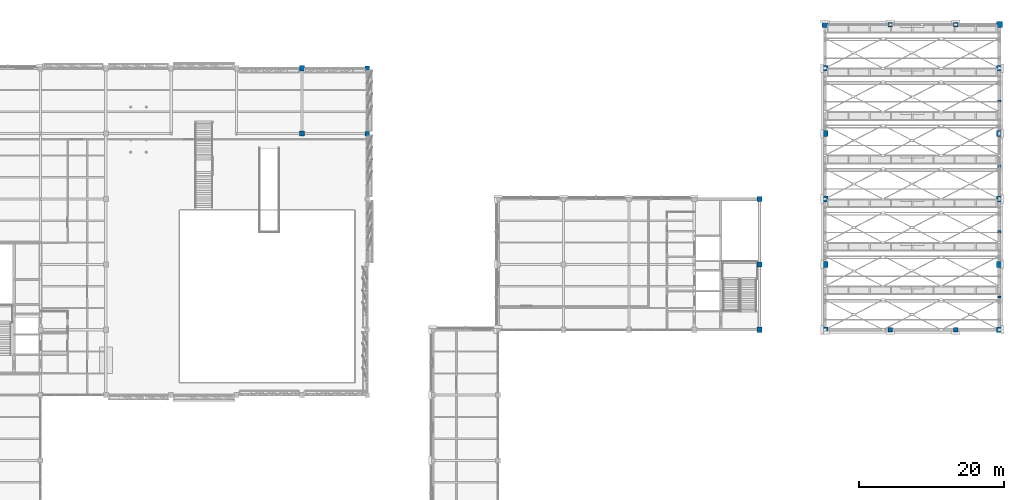
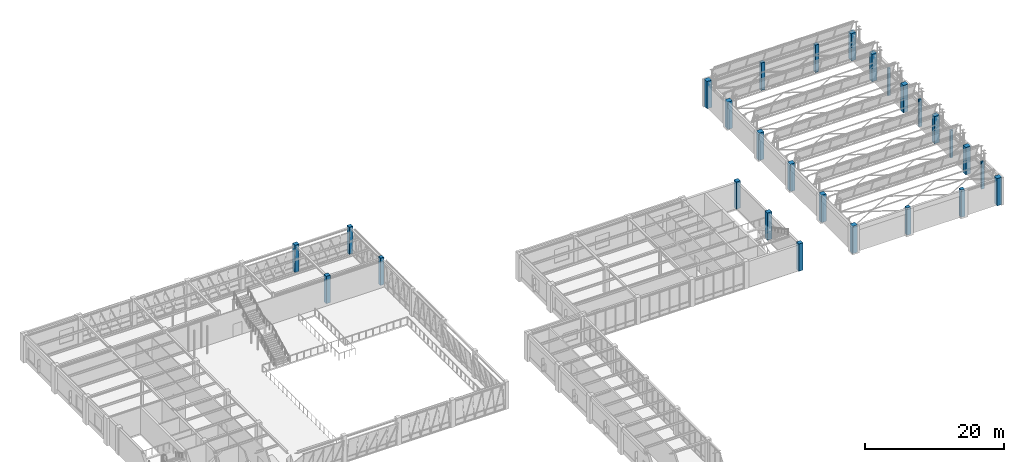
# One storey, part 13 of 98: 27 columns.
"""IFC4 building model written with IfcOpenShell, lengths in metres."""

from ifc_helpers import new_model, si_unit, direction, frame, origin, origin_2d, place, context, subcontext, project, spatial, rectangle, extrude, material, material_profile, profile_set, type_object, element, save


model = new_model("IFC4")

# Units and contexts
model_context = context("Model", 3, precision=1e-05, world=origin(), true_north=direction((0.0, 1.0)))
body_context = subcontext(model_context, "Body", "Model", "MODEL_VIEW")
ifc_project = project(units=[si_unit("LENGTHUNIT", "METRE"), si_unit("AREAUNIT", "SQUARE_METRE"), si_unit("VOLUMEUNIT", "CUBIC_METRE"), si_unit("PLANEANGLEUNIT", "RADIAN"), si_unit("MASSUNIT", "GRAM", prefix="KILO")], contexts=[model_context])

# Site, building, storey
site_placement = place(None, origin())
site = spatial("IfcSite", under=ifc_project, at=site_placement, CompositionType="ELEMENT")
building_placement = place(site_placement, origin())
building = spatial("IfcBuilding", under=site, at=building_placement, Name="Lykobir Media Centre", CompositionType="ELEMENT")
storey_placement = place(building_placement, frame((0.0, 0.0, 10.199951171875)))
storey = spatial("IfcBuildingStorey", under=building, at=storey_placement, Name="L02", CompositionType="ELEMENT", Elevation=10.199951171875)

# Columns
ifc_material_1 = material(Name="Honed Travertine Stone", Category="masonry")
ifc_material_profile_1 = material_profile(ifc_material_1, rectangle(XDim=0.300048828125, YDim=0.449951171875, at=origin_2d()), Name="RC PILASTER 450x300")
ifc_profile_set_1 = profile_set([ifc_material_profile_1], Name="Honed Travertine Stone")
column_type_1 = type_object("IfcColumnType", Name="PIL-450", PredefinedType="PILASTER", material=ifc_profile_set_1)
for number, where, z_axis, x_axis, name in (
    (1, (168.0, 76.5, 0.0), (0.0, 0.0, 1.0), (0.0, 1.0, 0.0), "V2 east pilaster L02 76.5"),
    (2, (168.0, 85.5, 0.0), (0.0, 0.0, 1.0), (0.0, 1.0, 0.0), "V2 east pilaster L02 85.5"),
    (3, (168.0, 94.5, 0.0), (0.0, 0.0, 1.0), (0.0, 1.0, 0.0), "V2 east pilaster L02 94.5"),
    (4, (168.0, 103.5, 0.0), (0.0, 0.0, 1.0), (0.0, 1.0, 0.0), "V2 east pilaster L02 103.5"),
):
    element("IfcColumn", number, at=place(storey_placement, frame(where, z_axis=z_axis, x_axis=x_axis)), inside=storey, type_object=column_type_1, Name=name, PredefinedType="PILASTER", context=body_context, shape_type="SweptSolid", body=[
        extrude(rectangle(XDim=0.300048828125, YDim=0.449951171875, at=origin_2d()), origin(), (0.0, 0.0, 1.0), 4.800048828125),
    ])
ifc_material_2 = material(Name="Concrete C40/50", Category="concrete")
ifc_material_profile_2 = material_profile(ifc_material_2, rectangle(XDim=0.60009765625, YDim=0.60009765625, at=origin_2d()), Name="RC 600x600")
ifc_profile_set_2 = profile_set([ifc_material_profile_2], Name="Concrete C40/50")
column_type_2 = type_object("IfcColumnType", Name="RC-C600", PredefinedType="COLUMN", material=ifc_profile_set_2)
for number, where, z_axis, x_axis, name in (
    (5, (153.0, 72.0, 0.0), (0.0, 0.0, 1.0), (1.0, 0.0, 0.0), "Column COL-L02-1530-0720"),
    (6, (162.0, 72.0, 0.0), (0.0, 0.0, 1.0), (1.0, 0.0, 0.0), "Column COL-L02-1620-0720"),
):
    element("IfcColumn", number, at=place(storey_placement, frame(where, z_axis=z_axis, x_axis=x_axis)), inside=storey, type_object=column_type_2, Name=name, PredefinedType="COLUMN", context=body_context, shape_type="SweptSolid", body=[
        extrude(rectangle(XDim=0.60009765625, YDim=0.60009765625, at=origin_2d()), origin(), (0.0, 0.0, 1.0), 4.800048828125),
    ])
ifc_material_profile_3 = material_profile(ifc_material_2, rectangle(XDim=0.60009765625, YDim=0.60009765625, at=origin_2d()), Name="RC 600x600")
ifc_profile_set_3 = profile_set([ifc_material_profile_3], Name="Concrete C40/50")
column_type_3 = type_object("IfcColumnType", Name="RC-C600-E", PredefinedType="COLUMN", material=ifc_profile_set_3)
for number, where, z_axis, x_axis, name in (
    (7, (81.0, 99.0, 0.0), (0.0, 0.0, 1.0), (1.0, 0.0, 0.0), "Column COL-L02-0810-0990"),
    (8, (81.0, 108.0, 0.0), (0.0, 0.0, 1.0), (1.0, 0.0, 0.0), "Column COL-L02-0810-1080"),
    (9, (153.0, 114.0, 0.0), (0.0, 0.0, 1.0), (1.0, 0.0, 0.0), "Column COL-L02-1530-1140"),
    (10, (162.0, 114.0, 0.0), (0.0, 0.0, 1.0), (1.0, 0.0, 0.0), "Column COL-L02-1620-1140"),
):
    element("IfcColumn", number, at=place(storey_placement, frame(where, z_axis=z_axis, x_axis=x_axis)), inside=storey, type_object=column_type_3, Name=name, PredefinedType="COLUMN", context=body_context, shape_type="SweptSolid", body=[
        extrude(rectangle(XDim=0.60009765625, YDim=0.60009765625, at=origin_2d()), origin(), (0.0, 0.0, 1.0), 4.800048828125),
    ])
ifc_material_profile_4 = material_profile(ifc_material_2, rectangle(XDim=0.699951171875, YDim=0.699951171875, at=origin_2d()), Name="RC 700x700")
ifc_profile_set_4 = profile_set([ifc_material_profile_4], Name="Concrete C40/50")
column_type_4 = type_object("IfcColumnType", Name="RC-C700", PredefinedType="COLUMN", material=ifc_profile_set_4)
for number, where, z_axis, x_axis, name in (
    (11, (72.0, 99.0, 0.0), (0.0, 0.0, 1.0), (1.0, 0.0, 0.0), "Column COL-L02-0720-0990"),
    (12, (135.0, 72.0, 0.0), (0.0, 0.0, 1.0), (1.0, 0.0, 0.0), "Column COL-L02-1350-0720"),
    (13, (135.0, 81.0, 0.0), (0.0, 0.0, 1.0), (1.0, 0.0, 0.0), "Column COL-L02-1350-0810"),
    (14, (135.0, 90.0, 0.0), (0.0, 0.0, 1.0), (1.0, 0.0, 0.0), "Column COL-L02-1350-0900"),
):
    element("IfcColumn", number, at=place(storey_placement, frame(where, z_axis=z_axis, x_axis=x_axis)), inside=storey, type_object=column_type_4, Name=name, PredefinedType="COLUMN", context=body_context, shape_type="SweptSolid", body=[
        extrude(rectangle(XDim=0.699951171875, YDim=0.699951171875, at=origin_2d()), origin(), (0.0, 0.0, 1.0), 4.800048828125),
    ])
ifc_material_profile_5 = material_profile(ifc_material_2, rectangle(XDim=0.699951171875, YDim=0.699951171875, at=origin_2d()), Name="RC 700x700")
ifc_profile_set_5 = profile_set([ifc_material_profile_5], Name="Concrete C40/50")
column_type_5 = type_object("IfcColumnType", Name="RC-C700-E", PredefinedType="COLUMN", material=ifc_profile_set_5)
column_placement = place(storey_placement, frame((72.0, 108.0, 0.0), z_axis=(0.0, 0.0, 1.0), x_axis=(1.0, 0.0, 0.0)))
element("IfcColumn", 15, at=column_placement, inside=storey, type_object=column_type_5, Name="Column COL-L02-0720-1080", PredefinedType="COLUMN", context=body_context, shape_type="SweptSolid", body=[
    extrude(rectangle(XDim=0.699951171875, YDim=0.699951171875, at=origin_2d()), origin(), (0.0, 0.0, 1.0), 4.800048828125),
])
ifc_material_profile_6 = material_profile(ifc_material_2, rectangle(XDim=0.800048828125, YDim=0.800048828125, at=origin_2d()), Name="RC 800x800")
ifc_profile_set_6 = profile_set([ifc_material_profile_6], Name="Concrete C40/50")
column_type_6 = type_object("IfcColumnType", Name="RC-C800", PredefinedType="COLUMN", material=ifc_profile_set_6)
for number, where, z_axis, x_axis, name in (
    (16, (144.0, 72.0, 0.0), (0.0, 0.0, 1.0), (1.0, 0.0, 0.0), "Column COL-L02-1440-0720"),
    (17, (144.0, 81.0, 0.0), (0.0, 0.0, 1.0), (1.0, 0.0, 0.0), "Column COL-L02-1440-0810"),
    (18, (144.0, 90.0, 0.0), (0.0, 0.0, 1.0), (1.0, 0.0, 0.0), "Column COL-L02-1440-0900"),
    (19, (144.0, 99.0, 0.0), (0.0, 0.0, 1.0), (1.0, 0.0, 0.0), "Column COL-L02-1440-0990"),
    (20, (144.0, 108.0, 0.0), (0.0, 0.0, 1.0), (1.0, 0.0, 0.0), "Column COL-L02-1440-1080"),
):
    element("IfcColumn", number, at=place(storey_placement, frame(where, z_axis=z_axis, x_axis=x_axis)), inside=storey, type_object=column_type_6, Name=name, PredefinedType="COLUMN", context=body_context, shape_type="SweptSolid", body=[
        extrude(rectangle(XDim=0.800048828125, YDim=0.800048828125, at=origin_2d()), origin(), (0.0, 0.0, 1.0), 4.800048828125),
    ])
ifc_material_profile_7 = material_profile(ifc_material_2, rectangle(XDim=0.800048828125, YDim=0.800048828125, at=origin_2d()), Name="RC 800x800")
ifc_profile_set_7 = profile_set([ifc_material_profile_7], Name="Concrete C40/50")
column_type_7 = type_object("IfcColumnType", Name="RC-C800-E", PredefinedType="COLUMN", material=ifc_profile_set_7)
for number, where, z_axis, x_axis, name in (
    (21, (144.0, 114.0, 0.0), (0.0, 0.0, 1.0), (1.0, 0.0, 0.0), "Column COL-L02-1440-1140"),
    (22, (168.0, 72.0, 0.0), (0.0, 0.0, 1.0), (1.0, 0.0, 0.0), "Column COL-L02-1680-0720"),
    (23, (168.0, 81.0, 0.0), (0.0, 0.0, 1.0), (1.0, 0.0, 0.0), "Column COL-L02-1680-0810"),
    (24, (168.0, 90.0, 0.0), (0.0, 0.0, 1.0), (1.0, 0.0, 0.0), "Column COL-L02-1680-0900"),
    (25, (168.0, 99.0, 0.0), (0.0, 0.0, 1.0), (1.0, 0.0, 0.0), "Column COL-L02-1680-0990"),
    (26, (168.0, 108.0, 0.0), (0.0, 0.0, 1.0), (1.0, 0.0, 0.0), "Column COL-L02-1680-1080"),
    (27, (168.0, 114.0, 0.0), (0.0, 0.0, 1.0), (1.0, 0.0, 0.0), "Column COL-L02-1680-1140"),
):
    element("IfcColumn", number, at=place(storey_placement, frame(where, z_axis=z_axis, x_axis=x_axis)), inside=storey, type_object=column_type_7, Name=name, PredefinedType="COLUMN", context=body_context, shape_type="SweptSolid", body=[
        extrude(rectangle(XDim=0.800048828125, YDim=0.800048828125, at=origin_2d()), origin(), (0.0, 0.0, 1.0), 4.800048828125),
    ])

save(model, "model.ifc")
